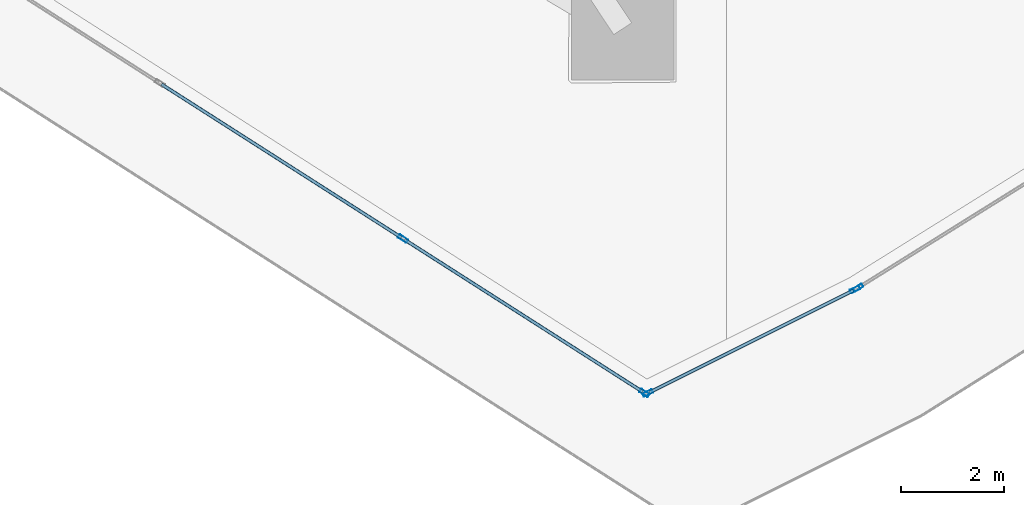
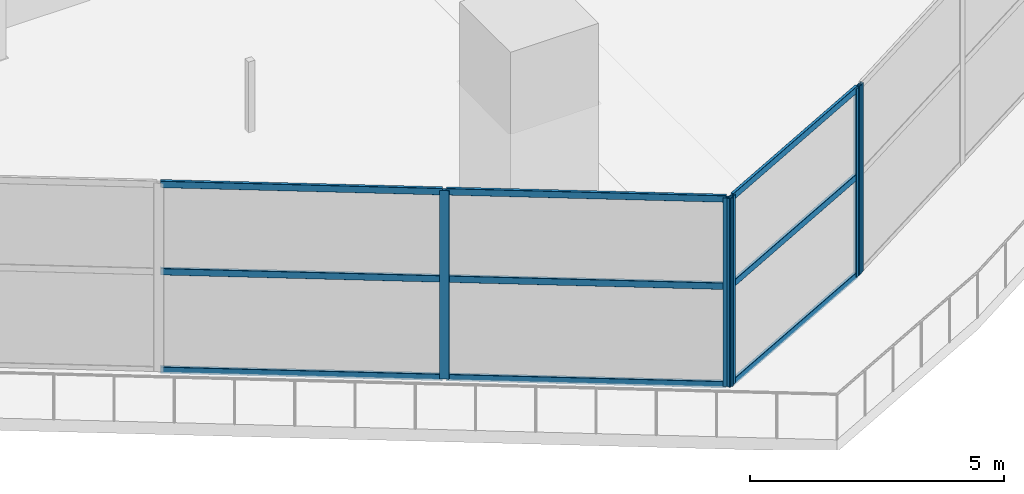
# One storey, part 8 of 36: 14 members, 3 elements without a shape of their own.
"""IFC4 building model written with IfcOpenShell, lengths in metres."""

from ifc_helpers import new_model, si_unit, direction, frame, origin, origin_2d, place, context, subcontext, project, spatial, hollow_rectangle, extrude, material, layer, layer_set, material_profile, profile_set, type_object, element, aggregate, save


model = new_model("IFC4")

# Units and contexts
model_context = context("Model", 3, precision=1e-05, world=origin(), true_north=direction((0.0, 1.0)))
body_context = subcontext(model_context, "Body", "Model", "MODEL_VIEW")
ifc_project = project(units=[si_unit("LENGTHUNIT", "METRE"), si_unit("AREAUNIT", "SQUARE_METRE"), si_unit("VOLUMEUNIT", "CUBIC_METRE"), si_unit("PLANEANGLEUNIT", "RADIAN"), si_unit("MASSUNIT", "GRAM", prefix="KILO")], contexts=[model_context])

# Site, building, storey
site_placement = place(None, origin())
site = spatial("IfcSite", under=ifc_project, at=site_placement, CompositionType="ELEMENT")
building_placement = place(site_placement, origin())
building = spatial("IfcBuilding", under=site, at=building_placement, Name="Qorvath Tower", CompositionType="ELEMENT")
storey_placement = place(building_placement, frame((0.0, 0.0, 180.0)))
storey = spatial("IfcBuildingStorey", under=building, at=storey_placement, Name="L41", CompositionType="ELEMENT", Elevation=180.0)

# Curtain wall, members
ifc_material_1 = material(Name="Anodised aluminium and triple low-E glass", Category="aluminium")
ifc_layer = layer(ifc_material_1, 0.179931640625)
ifc_layer_set = layer_set([ifc_layer], Name="CW-SYS-5")
curtain_wall_type = type_object("IfcCurtainWallType", Name="CW-SYS-5", PredefinedType="NOTDEFINED", material=ifc_layer_set)
curtain_wall_1_placement = place(storey_placement, origin())
curtain_wall_1 = element("IfcCurtainWall", 1, at=curtain_wall_1_placement, inside=storey, type_object=curtain_wall_type, Name="Curtain Wall CW-5 CW-T-L41-2.2", PredefinedType="NOTDEFINED")
ifc_material_2 = material(Name="Anodised aluminium 6063-T6", Category="aluminium")
ifc_material_profile_1 = material_profile(ifc_material_2, hollow_rectangle(XDim=0.074951171875, YDim=0.199951171875, WallThickness=0.00390625, InnerFilletRadius=0.00390625, OuterFilletRadius=0.008056640625, at=origin_2d()), Name="CWM 200x75")
ifc_profile_set_1 = profile_set([ifc_material_profile_1], Name="Anodised aluminium 6063-T6")
member_type_1 = type_object("IfcMemberType", Name="CWM-200", PredefinedType="MULLION", material=ifc_profile_set_1)
member_1_placement = place(storey_placement, frame((-21.1591796875, -25.72119140625, 0.0), z_axis=(0.0, 0.0, 1.0), x_axis=(0.538544146891, 0.842597295183, 0.0)))
member_1 = element("IfcMember", 2, at=member_1_placement, type_object=member_type_1, Name="CW-5 mullion 3", PredefinedType="MULLION", context=body_context, shape_type="SweptSolid", body=[
    extrude(hollow_rectangle(XDim=0.074951171875, YDim=0.199951171875, WallThickness=0.00390625, InnerFilletRadius=0.00390625, OuterFilletRadius=0.008056640625, at=origin_2d()), origin(), (0.0, 0.0, 1.0), 4.530029296875),
])
member_2_placement = place(storey_placement, frame((-16.447509765625, -28.732666015625, 0.0), z_axis=(0.0, 0.0, 1.0), x_axis=(0.538544146891, 0.842597295183, 0.0)))
member_2 = element("IfcMember", 3, at=member_2_placement, type_object=member_type_1, Name="CW-5 mullion 4", PredefinedType="MULLION", context=body_context, shape_type="SweptSolid", body=[
    extrude(hollow_rectangle(XDim=0.074951171875, YDim=0.199951171875, WallThickness=0.00390625, InnerFilletRadius=0.00390625, OuterFilletRadius=0.008056640625, at=origin_2d()), origin(), (0.0, 0.0, 1.0), 4.530029296875),
])

curtain_wall_2_placement = place(storey_placement, origin())
curtain_wall_2 = element("IfcCurtainWall", 4, at=curtain_wall_2_placement, inside=storey, type_object=curtain_wall_type, Name="Curtain Wall CW-5 CW-T-L41-3.1", PredefinedType="NOTDEFINED")
member_3_placement = place(storey_placement, frame((-16.38232421875, -28.736083984375, 0.0), z_axis=(0.0, 0.0, 1.0), x_axis=(-0.447187465635, 0.894440255455, 0.0)))
member_3 = element("IfcMember", 5, at=member_3_placement, type_object=member_type_1, Name="CW-5 mullion 1", PredefinedType="MULLION", context=body_context, shape_type="SweptSolid", body=[
    extrude(hollow_rectangle(XDim=0.074951171875, YDim=0.199951171875, WallThickness=0.00390625, InnerFilletRadius=0.00390625, OuterFilletRadius=0.008056640625, at=origin_2d()), origin(), (0.0, 0.0, 1.0), 4.530029296875),
])
member_4_placement = place(storey_placement, frame((-12.341552734375, -26.716064453125, 0.0), z_axis=(0.0, 0.0, 1.0), x_axis=(-0.447187465635, 0.894440255455, 0.0)))
member_4 = element("IfcMember", 6, at=member_4_placement, type_object=member_type_1, Name="CW-5 mullion 2", PredefinedType="MULLION", context=body_context, shape_type="SweptSolid", body=[
    extrude(hollow_rectangle(XDim=0.074951171875, YDim=0.199951171875, WallThickness=0.00390625, InnerFilletRadius=0.00390625, OuterFilletRadius=0.008056640625, at=origin_2d()), origin(), (0.0, 0.0, 1.0), 4.530029296875),
])

# Curtain wall, member
curtain_wall_3_placement = place(storey_placement, origin())
curtain_wall_3 = element("IfcCurtainWall", 7, at=curtain_wall_3_placement, inside=storey, type_object=curtain_wall_type, Name="Curtain Wall CW-5 CW-T-L41-4.1", PredefinedType="NOTDEFINED")
member_5_placement = place(storey_placement, frame((-12.2763671875, -26.679443359375, 0.0), z_axis=(0.0, 0.0, 1.0), x_axis=(-0.529309919685, 0.848428552633, 0.0)))
member_5 = element("IfcMember", 8, at=member_5_placement, type_object=member_type_1, Name="CW-5 mullion 1", PredefinedType="MULLION", context=body_context, shape_type="SweptSolid", body=[
    extrude(hollow_rectangle(XDim=0.074951171875, YDim=0.199951171875, WallThickness=0.00390625, InnerFilletRadius=0.00390625, OuterFilletRadius=0.008056640625, at=origin_2d()), origin(), (0.0, 0.0, 1.0), 4.530029296875),
])
aggregate(curtain_wall_3, [member_5])

# Member
ifc_material_3 = material(Name="Anodised aluminium 6063-T6", Category="aluminium")
ifc_material_profile_2 = material_profile(ifc_material_3, hollow_rectangle(XDim=0.06494140625, YDim=0.159912109375, WallThickness=0.00341796875, InnerFilletRadius=0.00341796875, OuterFilletRadius=0.007080078125, at=origin_2d()), Name="CWT 160x65")
ifc_profile_set_2 = profile_set([ifc_material_profile_2], Name="Anodised aluminium 6063-T6")
member_type_2 = type_object("IfcMemberType", Name="CWT-160", PredefinedType="USERDEFINED", material=ifc_profile_set_2)
member_6_placement = place(storey_placement, frame((-25.87109375, -22.709716796875, 0.032470703125), z_axis=(0.842606508806, -0.538529731137, 0.0), x_axis=(0.538529731137, 0.842606508806, 0.0)))
member_6 = element("IfcMember", 9, at=member_6_placement, type_object=member_type_2, Name="CW-5 transom 2.1", ObjectType="TRANSOM", PredefinedType="USERDEFINED", context=body_context, shape_type="SweptSolid", body=[
    extrude(hollow_rectangle(XDim=0.06494140625, YDim=0.159912109375, WallThickness=0.00341796875, InnerFilletRadius=0.00341796875, OuterFilletRadius=0.007080078125, at=origin_2d()), origin(), (0.0, 0.0, 1.0), 5.554443359375),
])

member_7_placement = place(storey_placement, frame((-25.87109375, -22.709716796875, 2.39990234375), z_axis=(0.842606508806, -0.538529731137, 0.0), x_axis=(0.538529731137, 0.842606508806, 0.0)))
member_7 = element("IfcMember", 10, at=member_7_placement, type_object=member_type_2, Name="CW-5 transom 2.2", ObjectType="TRANSOM", PredefinedType="USERDEFINED", context=body_context, shape_type="SweptSolid", body=[
    extrude(hollow_rectangle(XDim=0.06494140625, YDim=0.159912109375, WallThickness=0.00341796875, InnerFilletRadius=0.00341796875, OuterFilletRadius=0.007080078125, at=origin_2d()), origin(), (0.0, 0.0, 1.0), 5.554443359375),
])

member_8_placement = place(storey_placement, frame((-25.87109375, -22.709716796875, 4.49755859375), z_axis=(0.842606508806, -0.538529731137, 0.0), x_axis=(0.538529731137, 0.842606508806, 0.0)))
member_8 = element("IfcMember", 11, at=member_8_placement, type_object=member_type_2, Name="CW-5 transom 2.3", ObjectType="TRANSOM", PredefinedType="USERDEFINED", context=body_context, shape_type="SweptSolid", body=[
    extrude(hollow_rectangle(XDim=0.06494140625, YDim=0.159912109375, WallThickness=0.00341796875, InnerFilletRadius=0.00341796875, OuterFilletRadius=0.007080078125, at=origin_2d()), origin(), (0.0, 0.0, 1.0), 5.554443359375),
])

member_9_placement = place(storey_placement, frame((-21.127685546875, -25.741455078125, 0.032470703125), z_axis=(0.842617614199, -0.538512354771, 0.0), x_axis=(0.538512354771, 0.842617614199, 0.0)))
member_9 = element("IfcMember", 12, at=member_9_placement, type_object=member_type_2, Name="CW-5 transom 3.1", ObjectType="TRANSOM", PredefinedType="USERDEFINED", context=body_context, shape_type="SweptSolid", body=[
    extrude(hollow_rectangle(XDim=0.06494140625, YDim=0.159912109375, WallThickness=0.00341796875, InnerFilletRadius=0.00341796875, OuterFilletRadius=0.007080078125, at=origin_2d()), origin(), (0.0, 0.0, 1.0), 5.516845703125),
])

member_10_placement = place(storey_placement, frame((-21.127685546875, -25.741455078125, 2.39990234375), z_axis=(0.842617614199, -0.538512354771, 0.0), x_axis=(0.538512354771, 0.842617614199, 0.0)))
member_10 = element("IfcMember", 13, at=member_10_placement, type_object=member_type_2, Name="CW-5 transom 3.2", ObjectType="TRANSOM", PredefinedType="USERDEFINED", context=body_context, shape_type="SweptSolid", body=[
    extrude(hollow_rectangle(XDim=0.06494140625, YDim=0.159912109375, WallThickness=0.00341796875, InnerFilletRadius=0.00341796875, OuterFilletRadius=0.007080078125, at=origin_2d()), origin(), (0.0, 0.0, 1.0), 5.516845703125),
])

member_11_placement = place(storey_placement, frame((-21.127685546875, -25.741455078125, 4.49755859375), z_axis=(0.842617614199, -0.538512354771, 0.0), x_axis=(0.538512354771, 0.842617614199, 0.0)))
member_11 = element("IfcMember", 14, at=member_11_placement, type_object=member_type_2, Name="CW-5 transom 3.3", ObjectType="TRANSOM", PredefinedType="USERDEFINED", context=body_context, shape_type="SweptSolid", body=[
    extrude(hollow_rectangle(XDim=0.06494140625, YDim=0.159912109375, WallThickness=0.00341796875, InnerFilletRadius=0.00341796875, OuterFilletRadius=0.007080078125, at=origin_2d()), origin(), (0.0, 0.0, 1.0), 5.516845703125),
])

aggregate(curtain_wall_1, [member_1, member_2, member_6, member_7, member_8, member_9, member_10, member_11])

member_12_placement = place(storey_placement, frame((-16.3486328125, -28.719482421875, 0.032470703125), z_axis=(0.89441619944, 0.447235577944, 0.0), x_axis=(-0.447235577944, 0.89441619944, 0.0)))
member_12 = element("IfcMember", 15, at=member_12_placement, type_object=member_type_2, Name="CW-5 transom 1.1", ObjectType="TRANSOM", PredefinedType="USERDEFINED", context=body_context, shape_type="SweptSolid", body=[
    extrude(hollow_rectangle(XDim=0.06494140625, YDim=0.159912109375, WallThickness=0.00341796875, InnerFilletRadius=0.00341796875, OuterFilletRadius=0.007080078125, at=origin_2d()), origin(), (0.0, 0.0, 1.0), 4.4423828125),
])

member_13_placement = place(storey_placement, frame((-16.3486328125, -28.719482421875, 2.39990234375), z_axis=(0.89441619944, 0.447235577944, 0.0), x_axis=(-0.447235577944, 0.89441619944, 0.0)))
member_13 = element("IfcMember", 16, at=member_13_placement, type_object=member_type_2, Name="CW-5 transom 1.2", ObjectType="TRANSOM", PredefinedType="USERDEFINED", context=body_context, shape_type="SweptSolid", body=[
    extrude(hollow_rectangle(XDim=0.06494140625, YDim=0.159912109375, WallThickness=0.00341796875, InnerFilletRadius=0.00341796875, OuterFilletRadius=0.007080078125, at=origin_2d()), origin(), (0.0, 0.0, 1.0), 4.4423828125),
])

member_14_placement = place(storey_placement, frame((-16.3486328125, -28.719482421875, 4.49755859375), z_axis=(0.89441619944, 0.447235577944, 0.0), x_axis=(-0.447235577944, 0.89441619944, 0.0)))
member_14 = element("IfcMember", 17, at=member_14_placement, type_object=member_type_2, Name="CW-5 transom 1.3", ObjectType="TRANSOM", PredefinedType="USERDEFINED", context=body_context, shape_type="SweptSolid", body=[
    extrude(hollow_rectangle(XDim=0.06494140625, YDim=0.159912109375, WallThickness=0.00341796875, InnerFilletRadius=0.00341796875, OuterFilletRadius=0.007080078125, at=origin_2d()), origin(), (0.0, 0.0, 1.0), 4.4423828125),
])

aggregate(curtain_wall_2, [member_3, member_4, member_12, member_13, member_14])

save(model, "model.ifc")
